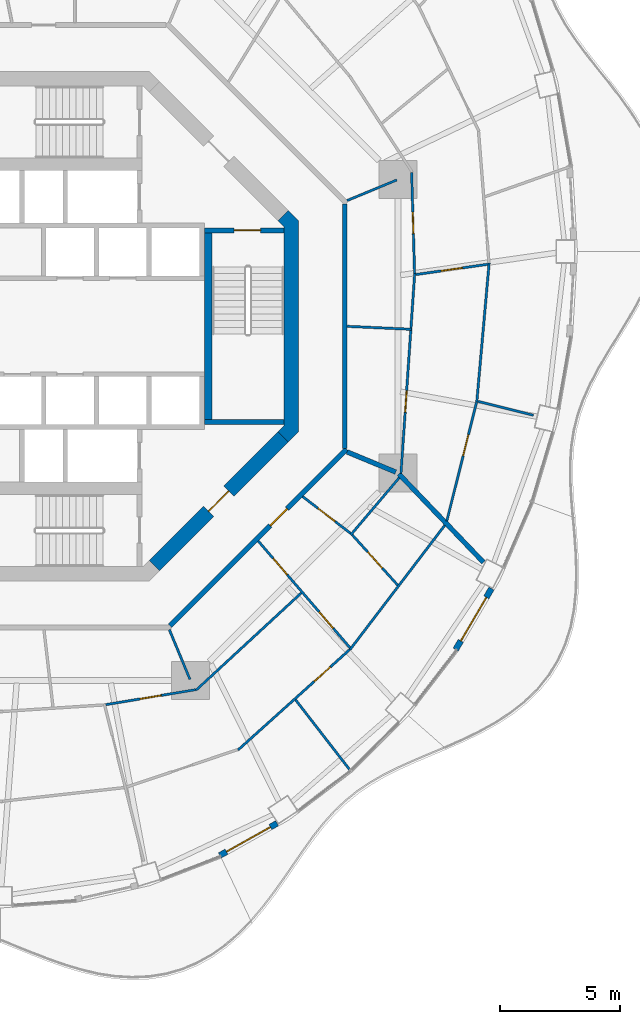
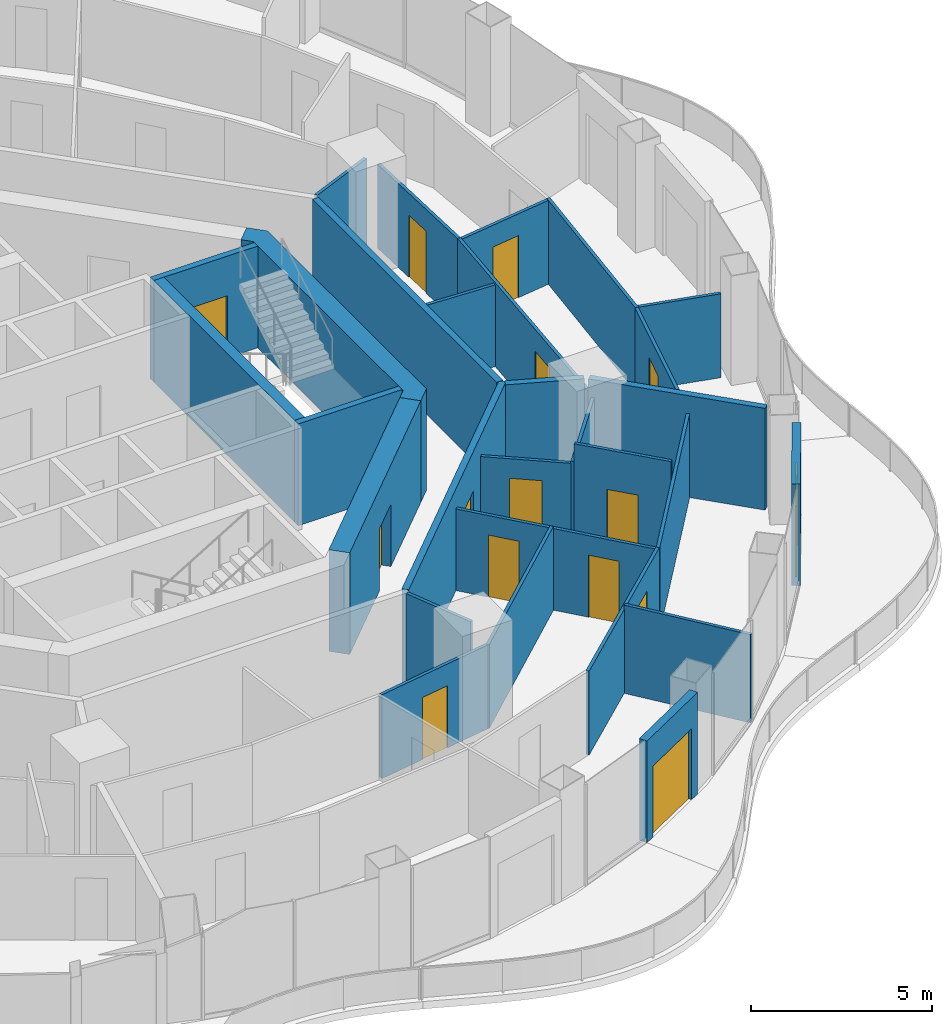
# One storey, part 12 of 18: 29 walls, 15 doors, 15 openings.
"""IFC4 building model written with IfcOpenShell, lengths in metres."""

from ifc_helpers import new_model, si_unit, direction, frame, frame_2d, origin, place, context, subcontext, project, spatial, polyline, rectangle, outline, extrude, material, layer, layer_set, type_object, element, fill, save


model = new_model("IFC4")

# Units and contexts
model_context = context("Model", 3, precision=1e-05, world=origin(), true_north=direction((0.0, 1.0)))
body_context = subcontext(model_context, "Body", "Model", "MODEL_VIEW")
ifc_project = project(units=[si_unit("LENGTHUNIT", "METRE"), si_unit("AREAUNIT", "SQUARE_METRE"), si_unit("VOLUMEUNIT", "CUBIC_METRE"), si_unit("PLANEANGLEUNIT", "RADIAN"), si_unit("MASSUNIT", "GRAM", prefix="KILO")], contexts=[model_context])

# Site, building, storey
site_placement = place(None, origin())
site = spatial("IfcSite", under=ifc_project, at=site_placement, CompositionType="ELEMENT")
building_placement = place(site_placement, origin())
building = spatial("IfcBuilding", under=site, at=building_placement, Name="Nagisa Residences", CompositionType="ELEMENT")
storey_placement = place(building_placement, frame((0.0, 0.0, 238.10009765625)))
storey = spatial("IfcBuildingStorey", under=building, at=storey_placement, Name="L60", CompositionType="ELEMENT", Elevation=238.10009765625)

# Walls
ifc_material_1 = material(Name="Gypsum board on steel studs", Category="steel")
ifc_layer_1 = layer(ifc_material_1, 0.199951171875)
ifc_layer_set_1 = layer_set([ifc_layer_1], Name="Apartment compartment wall EI60 200")
wall_type_1 = type_object("IfcWallType", Name="Apartment compartment wall EI60 200", PredefinedType="PARTITIONING", material=ifc_layer_set_1)
wall_1_placement = place(storey_placement, frame((12.6572265625, -5.24267578125, 0.0), z_axis=(0.0, 0.0, 1.0), x_axis=(0.923853160736, -0.382747093259, 0.0)))
element("IfcWall", 1, at=wall_1_placement, inside=storey, type_object=wall_type_1, Name="wall:L60:u06", PredefinedType="PARTITIONING", context=body_context, shape_type="SweptSolid", body=[
    extrude(rectangle(XDim=2.199951171875, YDim=0.199951171875, at=frame_2d((1.10009765625, 0.0))), origin(), (0.0, 0.0, 1.0), 3.43994140625),
])
wall_2_placement = place(storey_placement, frame((14.816650390625, -6.1591796875, 0.0), z_axis=(0.0, 0.0, 1.0), x_axis=(0.691437669875, -0.722436120828, 0.0)))
element("IfcWall", 2, at=wall_2_placement, inside=storey, type_object=wall_type_1, Name="wall:L60:u07", PredefinedType="PARTITIONING", context=body_context, shape_type="SweptSolid", body=[
    extrude(rectangle(XDim=5.103515625, YDim=0.199951171875, at=frame_2d((2.5517578125, 0.0))), origin(), (0.0, 0.0, 1.0), 3.43994140625),
])
ifc_material_2 = material(Name="Gypsum board on steel studs", Category="steel")
ifc_layer_2 = layer(ifc_material_2, 0.199951171875)
ifc_layer_set_2 = layer_set([ifc_layer_2], Name="Apartment entry wall EI60 200")
wall_type_2 = type_object("IfcWallType", Name="Apartment entry wall EI60 200", PredefinedType="PARTITIONING", material=ifc_layer_set_2)
wall_3_placement = place(storey_placement, frame((12.564697265625, -5.1044921875, 0.0), z_axis=(0.0, 0.0, 1.0), x_axis=(0.0, 1.0, 0.0)))
element("IfcWall", 3, at=wall_3_placement, inside=storey, type_object=wall_type_2, Name="wall:L60:u08", PredefinedType="PARTITIONING", context=body_context, shape_type="SweptSolid", body=[
    extrude(rectangle(XDim=10.208984375, YDim=0.199951171875, at=frame_2d((5.1044921875, 0.0))), origin(), (0.0, 0.0, 1.0), 3.43994140625),
])

# Wall, opening, door
wall_4_placement = place(storey_placement, frame((5.275146484375, -12.494140625, 0.0), z_axis=(0.0, 0.0, 1.0), x_axis=(0.707106781187, 0.707106781187, 0.0)))
wall_4 = element("IfcWall", 4, at=wall_4_placement, inside=storey, type_object=wall_type_2, Name="wall:L60:u15", PredefinedType="PARTITIONING", context=body_context, shape_type="SweptSolid", body=[
    extrude(rectangle(XDim=10.4091796875, YDim=0.199951171875, at=frame_2d((5.20458984375, 0.0))), origin(), (0.0, 0.0, 1.0), 3.43994140625),
])
opening_1_placement = place(wall_4_placement, frame((5.905517578125, 0.0, 0.0)))
opening_1 = element("IfcOpeningElement", 5, at=opening_1_placement, cuts=wall_4, Name="Opening L60-U09", PredefinedType="OPENING", context=body_context, shape_type="SweptSolid", body=[
    extrude(rectangle(XDim=1.0, YDim=2.10009765625, at=frame_2d((0.5, 1.050048828125))), frame((0.0, 0.10986328125, 0.0), z_axis=(0.0, -1.0, 0.0), x_axis=(1.0, 0.0, 0.0)), (0.0, 0.0, 1.0), 0.219970703125),
])
ifc_material_3 = material(Name="Timber fire door set", Category="wood")
door_type_1 = type_object("IfcDoorType", Name="Apartment entry door FD30S 1000x2100", OperationType="NOTDEFINED", PredefinedType="DOOR", material=ifc_material_3)
door_1_placement = place(opening_1_placement, frame((1.0, 0.0, 0.0), x_axis=(-1.0, 0.0, 0.0)))
door_1 = element("IfcDoor", 6, at=door_1_placement, inside=storey, type_object=door_type_1, Name="Entry door, Apartment 60B", OperationType="SINGLE_SWING_RIGHT", OverallHeight=2.10009765625, OverallWidth=1.0, PredefinedType="DOOR", context=body_context, shape_type="SweptSolid", body=[
    extrude(rectangle(XDim=1.0, YDim=2.10009765625, at=frame_2d((0.5, 1.050048828125))), frame((0.0, 0.02490234375, 0.0), z_axis=(0.0, -1.0, 0.0), x_axis=(1.0, 0.0, 0.0)), (0.0, 0.0, 1.0), 0.050048828125),
])
fill(opening_1, door_1)

ifc_material_4 = material(Name="Gypsum board on steel studs", Category="steel")
ifc_layer_3 = layer(ifc_material_4, 0.10009765625)
ifc_layer_set_3 = layer_set([ifc_layer_3], Name="Apartment partition 100")
wall_type_3 = type_object("IfcWallType", Name="Apartment partition 100", PredefinedType="PARTITIONING", material=ifc_layer_set_3)
wall_5_placement = place(storey_placement, frame((15.52587890625, 2.15673828125, 0.0), z_axis=(0.0, 0.0, 1.0), x_axis=(0.989997669831, 0.141083711779, 0.0)))
wall_5 = element("IfcWall", 7, at=wall_5_placement, inside=storey, type_object=wall_type_3, Name="wall:L60:u16", PredefinedType="PARTITIONING", context=body_context, shape_type="SweptSolid", body=[
    extrude(rectangle(XDim=3.036865234375, YDim=0.10009765625, at=frame_2d((1.5185546875, 0.0))), origin(), (0.0, 0.0, 1.0), 2.8369140625),
])
opening_2_placement = place(wall_5_placement, frame((1.068603515625, 0.0, 0.0)))
opening_2 = element("IfcOpeningElement", 8, at=opening_2_placement, cuts=wall_5, Name="Opening L60-U37", PredefinedType="OPENING", context=body_context, shape_type="SweptSolid", body=[
    extrude(rectangle(XDim=0.89990234375, YDim=2.10009765625, at=frame_2d((0.449951171875, 1.050048828125))), frame((0.0, 0.06005859375, 0.0), z_axis=(0.0, -1.0, 0.0), x_axis=(1.0, 0.0, 0.0)), (0.0, 0.0, 1.0), 0.1201171875),
])
ifc_material_5 = material(Name="Timber door set", Category="wood")
door_type_2 = type_object("IfcDoorType", Name="Apartment door 900x2100", OperationType="NOTDEFINED", PredefinedType="DOOR", material=ifc_material_5)
door_2_placement = place(opening_2_placement, frame((0.89990234375, 0.0, 0.0), x_axis=(-1.0, 0.0, 0.0)))
door_2 = element("IfcDoor", 9, at=door_2_placement, inside=storey, type_object=door_type_2, Name="Door to kitchen, Apartment 60C", OperationType="SINGLE_SWING_RIGHT", OverallHeight=2.10009765625, OverallWidth=0.89990234375, PredefinedType="DOOR", context=body_context, shape_type="SweptSolid", body=[
    extrude(rectangle(XDim=0.89990234375, YDim=2.10009765625, at=frame_2d((0.449951171875, 1.050048828125))), frame((0.0, 0.02490234375, 0.0), z_axis=(0.0, -1.0, 0.0), x_axis=(1.0, 0.0, 0.0)), (0.0, 0.0, 1.0), 0.050048828125),
])
fill(opening_2, door_2)

wall_6_placement = place(storey_placement, frame((15.474853515625, 2.19970703125, 0.0), z_axis=(0.0, 0.0, 1.0), x_axis=(-0.029254637498, 0.999571991497, 0.0)))
wall_6 = element("IfcWall", 10, at=wall_6_placement, inside=storey, type_object=wall_type_3, Name="wall:L60:u17", PredefinedType="PARTITIONING", context=body_context, shape_type="SweptSolid", body=[
    extrude(rectangle(XDim=4.22265625, YDim=0.10009765625, at=frame_2d((2.111328125, 0.0))), origin(), (0.0, 0.0, 1.0), 2.8369140625),
])
opening_3_placement = place(wall_6_placement, frame((1.661376953125, 0.0, 0.0)))
opening_3 = element("IfcOpeningElement", 11, at=opening_3_placement, cuts=wall_6, Name="Opening L60-U36", PredefinedType="OPENING", context=body_context, shape_type="SweptSolid", body=[
    extrude(rectangle(XDim=0.89990234375, YDim=2.10009765625, at=frame_2d((0.449951171875, 1.050048828125))), frame((0.0, 0.06005859375, 0.0), z_axis=(0.0, -1.0, 0.0), x_axis=(1.0, 0.0, 0.0)), (0.0, 0.0, 1.0), 0.1201171875),
])
door_3_placement = place(opening_3_placement, origin())
door_3 = element("IfcDoor", 12, at=door_3_placement, inside=storey, type_object=door_type_2, Name="Door to store, Apartment 60C", OperationType="SINGLE_SWING_RIGHT", OverallHeight=2.10009765625, OverallWidth=0.89990234375, PredefinedType="DOOR", context=body_context, shape_type="SweptSolid", body=[
    extrude(rectangle(XDim=0.89990234375, YDim=2.10009765625, at=frame_2d((0.449951171875, 1.050048828125))), frame((0.0, 0.02490234375, 0.0), z_axis=(0.0, -1.0, 0.0), x_axis=(1.0, 0.0, 0.0)), (0.0, 0.0, 1.0), 0.050048828125),
])
fill(opening_3, door_3)

wall_7_placement = place(storey_placement, frame((15.479736328125, 2.199462890625, 0.0), z_axis=(0.0, 0.0, 1.0), x_axis=(-0.068558685949, -0.997647085186, 0.0)))
wall_7 = element("IfcWall", 13, at=wall_7_placement, inside=storey, type_object=wall_type_3, Name="wall:L60:u18", PredefinedType="PARTITIONING", context=body_context, shape_type="SweptSolid", body=[
    extrude(rectangle(XDim=8.364990234375, YDim=0.10009765625, at=frame_2d((4.1826171875, 0.0))), origin(), (0.0, 0.0, 1.0), 2.8369140625),
])
opening_4_placement = place(wall_7_placement, frame((4.89794921875, 0.0, 0.0)))
opening_4 = element("IfcOpeningElement", 14, at=opening_4_placement, cuts=wall_7, Name="Opening L60-U39", PredefinedType="OPENING", context=body_context, shape_type="SweptSolid", body=[
    extrude(rectangle(XDim=0.89990234375, YDim=2.10009765625, at=frame_2d((0.449951171875, 1.050048828125))), frame((0.0, 0.06005859375, 0.0), z_axis=(0.0, -1.0, 0.0), x_axis=(1.0, 0.0, 0.0)), (0.0, 0.0, 1.0), 0.1201171875),
])
door_4_placement = place(opening_4_placement, frame((0.89990234375, 0.0, 0.0), x_axis=(-1.0, 0.0, 0.0)))
door_4 = element("IfcDoor", 15, at=door_4_placement, inside=storey, type_object=door_type_2, Name="Door to laundry, Apartment 60C", OperationType="SINGLE_SWING_RIGHT", OverallHeight=2.10009765625, OverallWidth=0.89990234375, PredefinedType="DOOR", context=body_context, shape_type="SweptSolid", body=[
    extrude(rectangle(XDim=0.89990234375, YDim=2.10009765625, at=frame_2d((0.449951171875, 1.050048828125))), frame((0.0, 0.02490234375, 0.0), z_axis=(0.0, -1.0, 0.0), x_axis=(1.0, 0.0, 0.0)), (0.0, 0.0, 1.0), 0.050048828125),
])
fill(opening_4, door_4)

# Walls
wall_8_placement = place(storey_placement, frame((18.58642578125, 2.64208984375, 0.0), z_axis=(0.0, 0.0, 1.0), x_axis=(-0.088638473361, -0.996063863937, 0.0)))
element("IfcWall", 16, at=wall_8_placement, inside=storey, type_object=wall_type_3, Name="wall:L60:u20", PredefinedType="PARTITIONING", context=body_context, shape_type="SweptSolid", body=[
    extrude(rectangle(XDim=5.83642578125, YDim=0.10009765625, at=frame_2d((2.918212890625, 0.0))), origin(), (0.0, 0.0, 1.0), 2.8369140625),
])
wall_9_placement = place(storey_placement, frame((12.6572265625, 5.24267578125, 0.0), z_axis=(0.0, 0.0, 1.0), x_axis=(0.923864733477, 0.382719158442, 0.0)))
element("IfcWall", 17, at=wall_9_placement, inside=storey, type_object=wall_type_3, Name="wall:L60:u22", PredefinedType="PARTITIONING", context=body_context, shape_type="SweptSolid", body=[
    extrude(rectangle(XDim=2.25, YDim=0.10009765625, at=frame_2d((1.125, 0.0))), origin(), (0.0, 0.0, 1.0), 3.43994140625),
])

# Wall, opening, door
wall_10_placement = place(storey_placement, frame((2.592529296875, -15.788818359375, 0.0), z_axis=(0.0, 0.0, 1.0), x_axis=(0.986381756816, 0.164471972749, 0.0)))
wall_10 = element("IfcWall", 18, at=wall_10_placement, inside=storey, type_object=wall_type_3, Name="wall:L60:u79", PredefinedType="PARTITIONING", context=body_context, shape_type="SweptSolid", body=[
    extrude(rectangle(XDim=3.797119140625, YDim=0.10009765625, at=frame_2d((1.8984375, 0.0))), origin(), (0.0, 0.0, 1.0), 2.8369140625),
])
opening_5_placement = place(wall_10_placement, frame((1.448486328125, 0.0, 0.0)))
opening_5 = element("IfcOpeningElement", 19, at=opening_5_placement, cuts=wall_10, Name="Opening L60-U16", PredefinedType="OPENING", context=body_context, shape_type="SweptSolid", body=[
    extrude(rectangle(XDim=0.89990234375, YDim=2.10009765625, at=frame_2d((0.449951171875, 1.050048828125))), frame((0.0, 0.06005859375, 0.0), z_axis=(0.0, -1.0, 0.0), x_axis=(1.0, 0.0, 0.0)), (0.0, 0.0, 1.0), 0.1201171875),
])
door_5_placement = place(opening_5_placement, origin())
door_5 = element("IfcDoor", 20, at=door_5_placement, inside=storey, type_object=door_type_2, Name="Door to laundry, Apartment 60B", OperationType="SINGLE_SWING_RIGHT", OverallHeight=2.10009765625, OverallWidth=0.89990234375, PredefinedType="DOOR", context=body_context, shape_type="SweptSolid", body=[
    extrude(rectangle(XDim=0.89990234375, YDim=2.10009765625, at=frame_2d((0.449951171875, 1.050048828125))), frame((0.0, 0.02490234375, 0.0), z_axis=(0.0, -1.0, 0.0), x_axis=(1.0, 0.0, 0.0)), (0.0, 0.0, 1.0), 0.050048828125),
])
fill(opening_5, door_5)

# Walls
wall_11_placement = place(storey_placement, frame((5.24267578125, -12.6572265625, 0.0), z_axis=(0.0, 0.0, 1.0), x_axis=(0.382719158442, -0.923864733477, 0.0)))
element("IfcWall", 21, at=wall_11_placement, inside=storey, type_object=wall_type_3, Name="wall:L60:u81", PredefinedType="PARTITIONING", context=body_context, shape_type="SweptSolid", body=[
    extrude(rectangle(XDim=2.25, YDim=0.10009765625, at=frame_2d((1.125, 0.0))), origin(), (0.0, 0.0, 1.0), 3.43994140625),
])
wall_12_placement = place(storey_placement, frame((6.3505859375, -15.18994140625, 0.0), z_axis=(0.0, 0.0, 1.0), x_axis=(0.73462674599, 0.678471476243, 0.0)))
element("IfcWall", 22, at=wall_12_placement, inside=storey, type_object=wall_type_3, Name="wall:L60:u82", PredefinedType="PARTITIONING", context=body_context, shape_type="SweptSolid", body=[
    extrude(rectangle(XDim=5.986572265625, YDim=0.10009765625, at=frame_2d((2.9931640625, 0.0))), origin(), (0.0, 0.0, 1.0), 2.8369140625),
])

# Wall, opening, door
wall_13_placement = place(storey_placement, frame((8.109130859375, -17.679443359375, 0.0), z_axis=(0.0, 0.0, 1.0), x_axis=(0.743675165651, 0.668541134108, 0.0)))
wall_13 = element("IfcWall", 23, at=wall_13_placement, inside=storey, type_object=wall_type_3, Name="wall:L60:u83", PredefinedType="PARTITIONING", context=body_context, shape_type="SweptSolid", body=[
    extrude(rectangle(XDim=6.274658203125, YDim=0.10009765625, at=frame_2d((3.13720703125, 0.0))), origin(), (0.0, 0.0, 1.0), 2.8369140625),
])
opening_6_placement = place(wall_13_placement, frame((4.281005859375, 0.0, 0.0)))
opening_6 = element("IfcOpeningElement", 24, at=opening_6_placement, cuts=wall_13, Name="Opening L60-U15", PredefinedType="OPENING", context=body_context, shape_type="SweptSolid", body=[
    extrude(rectangle(XDim=0.89990234375, YDim=2.10009765625, at=frame_2d((0.449951171875, 1.050048828125))), frame((0.0, 0.06005859375, 0.0), z_axis=(0.0, -1.0, 0.0), x_axis=(1.0, 0.0, 0.0)), (0.0, 0.0, 1.0), 0.1201171875),
])
door_6_placement = place(opening_6_placement, frame((0.89990234375, 0.0, 0.0), x_axis=(-1.0, 0.0, 0.0)))
door_6 = element("IfcDoor", 25, at=door_6_placement, inside=storey, type_object=door_type_2, Name="Door to bedroom, Apartment 60B", OperationType="SINGLE_SWING_RIGHT", OverallHeight=2.10009765625, OverallWidth=0.89990234375, PredefinedType="DOOR", context=body_context, shape_type="SweptSolid", body=[
    extrude(rectangle(XDim=0.89990234375, YDim=2.10009765625, at=frame_2d((0.449951171875, 1.050048828125))), frame((0.0, 0.02490234375, 0.0), z_axis=(0.0, -1.0, 0.0), x_axis=(1.0, 0.0, 0.0)), (0.0, 0.0, 1.0), 0.050048828125),
])
fill(opening_6, door_6)

# Wall
wall_14_placement = place(storey_placement, frame((10.510009765625, -15.588134765625, 0.0), z_axis=(0.0, 0.0, 1.0), x_axis=(0.612443725286, -0.79051418922, 0.0)))
element("IfcWall", 26, at=wall_14_placement, inside=storey, type_object=wall_type_3, Name="wall:L60:u84", PredefinedType="PARTITIONING", context=body_context, shape_type="SweptSolid", body=[
    extrude(rectangle(XDim=3.785400390625, YDim=0.10009765625, at=frame_2d((1.892578125, 0.0))), origin(), (0.0, 0.0, 1.0), 2.98291015625),
])

# Wall, openings, doors
wall_15_placement = place(storey_placement, frame((8.949951171875, -8.96044921875, 0.0), z_axis=(0.0, 0.0, 1.0), x_axis=(0.652098047064, -0.758134643065, 0.0)))
wall_15 = element("IfcWall", 27, at=wall_15_placement, inside=storey, type_object=wall_type_3, Name="wall:L60:u85", PredefinedType="PARTITIONING", context=body_context, shape_type="SweptSolid", body=[
    extrude(rectangle(XDim=5.87353515625, YDim=0.10009765625, at=frame_2d((2.936767578125, 0.0))), origin(), (0.0, 0.0, 1.0), 2.761962890625),
])
opening_7_placement = place(wall_15_placement, frame((0.957275390625, 0.0, 0.0)))
opening_7 = element("IfcOpeningElement", 28, at=opening_7_placement, cuts=wall_15, Name="Opening L60-U10", PredefinedType="OPENING", context=body_context, shape_type="SweptSolid", body=[
    extrude(rectangle(XDim=0.89990234375, YDim=2.10009765625, at=frame_2d((0.449951171875, 1.050048828125))), frame((0.0, 0.06005859375, 0.0), z_axis=(0.0, -1.0, 0.0), x_axis=(1.0, 0.0, 0.0)), (0.0, 0.0, 1.0), 0.1201171875),
])
opening_8_placement = place(wall_15_placement, frame((3.89404296875, 0.0, 0.0)))
opening_8 = element("IfcOpeningElement", 29, at=opening_8_placement, cuts=wall_15, Name="Opening L60-U12", PredefinedType="OPENING", context=body_context, shape_type="SweptSolid", body=[
    extrude(rectangle(XDim=0.89990234375, YDim=2.10009765625, at=frame_2d((0.449951171875, 1.050048828125))), frame((0.0, 0.06005859375, 0.0), z_axis=(0.0, -1.0, 0.0), x_axis=(1.0, 0.0, 0.0)), (0.0, 0.0, 1.0), 0.1201171875),
])
door_7_placement = place(opening_7_placement, frame((0.89990234375, 0.0, 0.0), x_axis=(-1.0, 0.0, 0.0)))
door_7 = element("IfcDoor", 30, at=door_7_placement, inside=storey, type_object=door_type_2, Name="Door to laundry, Apartment 60B", OperationType="SINGLE_SWING_LEFT", OverallHeight=2.10009765625, OverallWidth=0.89990234375, PredefinedType="DOOR", context=body_context, shape_type="SweptSolid", body=[
    extrude(rectangle(XDim=0.89990234375, YDim=2.10009765625, at=frame_2d((0.449951171875, 1.050048828125))), frame((0.0, 0.02490234375, 0.0), z_axis=(0.0, -1.0, 0.0), x_axis=(1.0, 0.0, 0.0)), (0.0, 0.0, 1.0), 0.050048828125),
])
fill(opening_7, door_7)
door_8_placement = place(opening_8_placement, frame((0.89990234375, 0.0, 0.0), x_axis=(-1.0, 0.0, 0.0)))
door_8 = element("IfcDoor", 31, at=door_8_placement, inside=storey, type_object=door_type_2, Name="Door to dining room, Apartment 60B", OperationType="SINGLE_SWING_LEFT", OverallHeight=2.10009765625, OverallWidth=0.89990234375, PredefinedType="DOOR", context=body_context, shape_type="SweptSolid", body=[
    extrude(rectangle(XDim=0.89990234375, YDim=2.10009765625, at=frame_2d((0.449951171875, 1.050048828125))), frame((0.0, 0.02490234375, 0.0), z_axis=(0.0, -1.0, 0.0), x_axis=(1.0, 0.0, 0.0)), (0.0, 0.0, 1.0), 0.050048828125),
])
fill(opening_8, door_8)

# Wall
wall_16_placement = place(storey_placement, frame((12.7822265625, -13.490966796875, 0.0), z_axis=(0.0, 0.0, 1.0), x_axis=(0.606141365852, 0.79535692906, 0.0)))
element("IfcWall", 32, at=wall_16_placement, inside=storey, type_object=wall_type_3, Name="wall:L60:u86", PredefinedType="PARTITIONING", context=body_context, shape_type="SweptSolid", body=[
    extrude(rectangle(XDim=6.519775390625, YDim=0.10009765625, at=frame_2d((3.259765625, 0.0))), origin(), (0.0, 0.0, 1.0), 2.8369140625),
])

# Wall, opening, door
wall_17_placement = place(storey_placement, frame((10.803955078125, -7.10546875, 0.0), z_axis=(0.0, 0.0, 1.0), x_axis=(0.793311502848, -0.608815948747, 0.0)))
wall_17 = element("IfcWall", 33, at=wall_17_placement, inside=storey, type_object=wall_type_3, Name="wall:L60:u87", PredefinedType="PARTITIONING", context=body_context, shape_type="SweptSolid", body=[
    extrude(rectangle(XDim=2.51953125, YDim=0.10009765625, at=frame_2d((1.259765625, 0.0))), origin(), (0.0, 0.0, 1.0), 2.761962890625),
])
opening_9_placement = place(wall_17_placement, frame((0.809814453125, 0.0, 0.0)))
opening_9 = element("IfcOpeningElement", 34, at=opening_9_placement, cuts=wall_17, Name="Opening L60-U11", PredefinedType="OPENING", context=body_context, shape_type="SweptSolid", body=[
    extrude(rectangle(XDim=0.89990234375, YDim=2.10009765625, at=frame_2d((0.449951171875, 1.050048828125))), frame((0.0, 0.06005859375, 0.0), z_axis=(0.0, -1.0, 0.0), x_axis=(1.0, 0.0, 0.0)), (0.0, 0.0, 1.0), 0.1201171875),
])
door_9_placement = place(opening_9_placement, origin())
door_9 = element("IfcDoor", 35, at=door_9_placement, inside=storey, type_object=door_type_2, Name="Door to family bathroom, Apartment 60B", OperationType="SINGLE_SWING_LEFT", OverallHeight=2.10009765625, OverallWidth=0.89990234375, PredefinedType="DOOR", context=body_context, shape_type="SweptSolid", body=[
    extrude(rectangle(XDim=0.89990234375, YDim=2.10009765625, at=frame_2d((0.449951171875, 1.050048828125))), frame((0.0, 0.02490234375, 0.0), z_axis=(0.0, -1.0, 0.0), x_axis=(1.0, 0.0, 0.0)), (0.0, 0.0, 1.0), 0.050048828125),
])
fill(opening_9, door_9)

wall_18_placement = place(storey_placement, frame((12.8759765625, -8.70703125, 0.0), z_axis=(0.0, 0.0, 1.0), x_axis=(0.670768418052, -0.741666858733, 0.0)))
wall_18 = element("IfcWall", 36, at=wall_18_placement, inside=storey, type_object=wall_type_3, Name="wall:L60:u88", PredefinedType="PARTITIONING", context=body_context, shape_type="SweptSolid", body=[
    extrude(rectangle(XDim=2.82373046875, YDim=0.10009765625, at=frame_2d((1.411865234375, 0.0))), origin(), (0.0, 0.0, 1.0), 3.43994140625),
])
opening_10_placement = place(wall_18_placement, frame((0.9619140625, 0.0, 0.0)))
opening_10 = element("IfcOpeningElement", 37, at=opening_10_placement, cuts=wall_18, Name="Opening L60-U13", PredefinedType="OPENING", context=body_context, shape_type="SweptSolid", body=[
    extrude(rectangle(XDim=0.89990234375, YDim=2.10009765625, at=frame_2d((0.449951171875, 1.050048828125))), frame((0.0, 0.06005859375, 0.0), z_axis=(0.0, -1.0, 0.0), x_axis=(1.0, 0.0, 0.0)), (0.0, 0.0, 1.0), 0.1201171875),
])
door_10_placement = place(opening_10_placement, origin())
door_10 = element("IfcDoor", 38, at=door_10_placement, inside=storey, type_object=door_type_2, Name="Door to family bathroom, Apartment 60B", OperationType="SINGLE_SWING_LEFT", OverallHeight=2.10009765625, OverallWidth=0.89990234375, PredefinedType="DOOR", context=body_context, shape_type="SweptSolid", body=[
    extrude(rectangle(XDim=0.89990234375, YDim=2.10009765625, at=frame_2d((0.449951171875, 1.050048828125))), frame((0.0, 0.02490234375, 0.0), z_axis=(0.0, -1.0, 0.0), x_axis=(1.0, 0.0, 0.0)), (0.0, 0.0, 1.0), 0.050048828125),
])
fill(opening_10, door_10)

# Wall
wall_19_placement = place(storey_placement, frame((12.81005859375, -8.7080078125, 0.0), z_axis=(0.0, 0.0, 1.0), x_axis=(0.646973324627, 0.762512634138, 0.0)))
element("IfcWall", 39, at=wall_19_placement, inside=storey, type_object=wall_type_3, Name="wall:L60:u89", PredefinedType="PARTITIONING", context=body_context, shape_type="SweptSolid", body=[
    extrude(rectangle(XDim=3.12939453125, YDim=0.10009765625, at=frame_2d((1.564697265625, 0.0))), origin(), (0.0, 0.0, 1.0), 2.8369140625),
])

# Wall, opening, door
wall_20_placement = place(storey_placement, frame((16.81884765625, -8.128662109375, 0.0), z_axis=(0.0, 0.0, 1.0), x_axis=(0.243041266705, 0.970015949703, 0.0)))
wall_20 = element("IfcWall", 40, at=wall_20_placement, inside=storey, type_object=wall_type_3, Name="wall:L60:u90", PredefinedType="PARTITIONING", context=body_context, shape_type="SweptSolid", body=[
    extrude(rectangle(XDim=5.112060546875, YDim=0.10009765625, at=frame_2d((2.55615234375, 0.0))), origin(), (0.0, 0.0, 1.0), 2.8369140625),
])
opening_11_placement = place(wall_20_placement, frame((2.808349609375, 0.0, 0.0)))
opening_11 = element("IfcOpeningElement", 41, at=opening_11_placement, cuts=wall_20, Name="Opening L60-U38", PredefinedType="OPENING", context=body_context, shape_type="SweptSolid", body=[
    extrude(rectangle(XDim=0.89990234375, YDim=2.10009765625, at=frame_2d((0.449951171875, 1.050048828125))), frame((0.0, 0.06005859375, 0.0), z_axis=(0.0, -1.0, 0.0), x_axis=(1.0, 0.0, 0.0)), (0.0, 0.0, 1.0), 0.1201171875),
])
door_11_placement = place(opening_11_placement, frame((0.89990234375, 0.0, 0.0), x_axis=(-1.0, 0.0, 0.0)))
door_11 = element("IfcDoor", 42, at=door_11_placement, inside=storey, type_object=door_type_2, Name="Door to bedroom, Apartment 60C", OperationType="SINGLE_SWING_LEFT", OverallHeight=2.10009765625, OverallWidth=0.89990234375, PredefinedType="DOOR", context=body_context, shape_type="SweptSolid", body=[
    extrude(rectangle(XDim=0.89990234375, YDim=2.10009765625, at=frame_2d((0.449951171875, 1.050048828125))), frame((0.0, 0.02490234375, 0.0), z_axis=(0.0, -1.0, 0.0), x_axis=(1.0, 0.0, 0.0)), (0.0, 0.0, 1.0), 0.050048828125),
])
fill(opening_11, door_11)

# Walls
wall_21_placement = place(storey_placement, frame((18.1220703125, -3.1337890625, 0.0), z_axis=(0.0, 0.0, 1.0), x_axis=(0.969755347697, -0.244079015102, 0.0)))
element("IfcWall", 43, at=wall_21_placement, inside=storey, type_object=wall_type_3, Name="wall:L60:u91", PredefinedType="PARTITIONING", context=body_context, shape_type="SweptSolid", body=[
    extrude(rectangle(XDim=2.381591796875, YDim=0.10009765625, at=frame_2d((1.19091796875, 0.0))), origin(), (0.0, 0.0, 1.0), 2.8369140625),
])
wall_22_placement = place(storey_placement, frame((12.66455078125, -0.004638671875, 0.0), z_axis=(0.0, 0.0, 1.0), x_axis=(0.998950319191, -0.045806765749, 0.0)))
element("IfcWall", 44, at=wall_22_placement, inside=storey, type_object=wall_type_3, Name="wall:L60:u92", PredefinedType="PARTITIONING", context=body_context, shape_type="SweptSolid", body=[
    extrude(rectangle(XDim=2.691650390625, YDim=0.10009765625, at=frame_2d((1.345703125, 0.0))), origin(), (0.0, 0.0, 1.0), 2.761962890625),
])

# Wall, opening, door
ifc_material_6 = material(Name="Precast concrete C40/50", Category="concrete")
ifc_layer_4 = layer(ifc_material_6, 0.25)
ifc_layer_set_4 = layer_set([ifc_layer_4], Name="BALCONY DOOR WALL 250")
wall_type_4 = type_object("IfcWallType", Name="BALCONY DOOR WALL 250", PredefinedType="SOLIDWALL", material=ifc_layer_set_4)
wall_23_placement = place(storey_placement, frame((9.73779296875, -20.738525390625, 0.0), z_axis=(0.0, 0.0, 1.0), x_axis=(-0.872079929129, -0.489363461254, 0.0)))
wall_23 = element("IfcWall", 45, at=wall_23_placement, inside=storey, type_object=wall_type_4, Name="wall:L60:bay39", PredefinedType="SOLIDWALL", context=body_context, shape_type="SweptSolid", body=[
    extrude(rectangle(XDim=2.738037109375, YDim=0.25, at=frame_2d((1.369140625, 0.0))), origin(), (0.0, 0.0, 1.0), 3.43994140625),
])
opening_12_placement = place(wall_23_placement, frame((0.319091796875, 0.0, 0.0)))
opening_12 = element("IfcOpeningElement", 46, at=opening_12_placement, cuts=wall_23, Name="Opening BD-L60-14", PredefinedType="OPENING", context=body_context, shape_type="SweptSolid", body=[
    extrude(rectangle(XDim=2.10009765625, YDim=2.39990234375, at=frame_2d((1.050048828125, 1.199951171875))), frame((0.0, 0.135009765625, 0.0), z_axis=(0.0, -1.0, 0.0), x_axis=(1.0, 0.0, 0.0)), (0.0, 0.0, 1.0), 0.27001953125),
])
ifc_material_7 = material(Name="Aluminium and clear glass", Category="aluminium")
door_type_3 = type_object("IfcDoorType", Name="BALCONY SLIDING DOOR 2100x2400", OperationType="SLIDING_TO_LEFT", PredefinedType="DOOR", material=ifc_material_7)
door_12_placement = place(opening_12_placement, origin())
door_12 = element("IfcDoor", 47, at=door_12_placement, inside=storey, type_object=door_type_3, Name="door:L60:bay39", OperationType="SLIDING_TO_LEFT", OverallHeight=2.39990234375, OverallWidth=2.10009765625, PredefinedType="DOOR", context=body_context, shape_type="SweptSolid", body=[
    extrude(rectangle(XDim=2.10009765625, YDim=2.39990234375, at=frame_2d((1.050048828125, 1.199951171875))), frame((0.0, 0.02490234375, 0.0), z_axis=(0.0, -1.0, 0.0), x_axis=(1.0, 0.0, 0.0)), (0.0, 0.0, 1.0), 0.050048828125),
])
fill(opening_12, door_12)

wall_24_placement = place(storey_placement, frame((18.684326171875, -10.945068359375, 0.0), z_axis=(0.0, 0.0, 1.0), x_axis=(-0.5063555387, -0.862324804484, 0.0)))
wall_24 = element("IfcWall", 48, at=wall_24_placement, inside=storey, type_object=wall_type_4, Name="wall:L60:bay43", PredefinedType="SOLIDWALL", context=body_context, shape_type="SweptSolid", body=[
    extrude(rectangle(XDim=2.95458984375, YDim=0.25, at=frame_2d((1.477294921875, 0.0))), origin(), (0.0, 0.0, 1.0), 3.43994140625),
])
opening_13_placement = place(wall_24_placement, frame((0.42724609375, 0.0, 0.0)))
opening_13 = element("IfcOpeningElement", 49, at=opening_13_placement, cuts=wall_24, Name="Opening BD-L60-15", PredefinedType="OPENING", context=body_context, shape_type="SweptSolid", body=[
    extrude(rectangle(XDim=2.10009765625, YDim=2.39990234375, at=frame_2d((1.050048828125, 1.199951171875))), frame((0.0, 0.135009765625, 0.0), z_axis=(0.0, -1.0, 0.0), x_axis=(1.0, 0.0, 0.0)), (0.0, 0.0, 1.0), 0.27001953125),
])
door_13_placement = place(opening_13_placement, origin())
door_13 = element("IfcDoor", 50, at=door_13_placement, inside=storey, type_object=door_type_3, Name="door:L60:bay43", OperationType="SLIDING_TO_LEFT", OverallHeight=2.39990234375, OverallWidth=2.10009765625, PredefinedType="DOOR", context=body_context, shape_type="SweptSolid", body=[
    extrude(rectangle(XDim=2.10009765625, YDim=2.39990234375, at=frame_2d((1.050048828125, 1.199951171875))), frame((0.0, 0.02490234375, 0.0), z_axis=(0.0, -1.0, 0.0), x_axis=(1.0, 0.0, 0.0)), (0.0, 0.0, 1.0), 0.050048828125),
])
fill(opening_13, door_13)

ifc_material_8 = material(Name="Concrete C60", Category="concrete")
ifc_layer_5 = layer(ifc_material_8, 0.60009765625)
ifc_layer_set_5 = layer_set([ifc_layer_5], Name="Core shear wall 600")
wall_type_5 = type_object("IfcWallType", Name="Core shear wall 600", PredefinedType="SHEAR", material=ifc_layer_set_5)
wall_25_placement = place(storey_placement, frame((4.613037109375, -9.98828125, 0.0), z_axis=(0.0, 0.0, 1.0), x_axis=(0.707106781187, 0.707106781187, 0.0)))
wall_25 = element("IfcWall", 51, at=wall_25_placement, inside=storey, type_object=wall_type_5, Name="wall:L60:core:flat7", PredefinedType="SHEAR", context=body_context, shape_type="SweptSolid", body=[
    extrude(rectangle(XDim=7.601806640625, YDim=0.60009765625, at=frame_2d((3.80078125, 0.0))), origin(), (0.0, 0.0, 1.0), 3.43994140625),
])
opening_14_placement = place(wall_25_placement, frame((3.200927734375, 0.0, 0.0)))
opening_14 = element("IfcOpeningElement", 52, at=opening_14_placement, cuts=wall_25, Name="Opening L60-C18", PredefinedType="OPENING", context=body_context, shape_type="SweptSolid", body=[
    extrude(rectangle(XDim=1.199951171875, YDim=2.10009765625, at=frame_2d((0.60009765625, 1.050048828125))), frame((0.0, 0.31005859375, 0.0), z_axis=(0.0, -1.0, 0.0), x_axis=(1.0, 0.0, 0.0)), (0.0, 0.0, 1.0), 0.6201171875),
])
ifc_material_9 = material(Name="Steel fire door", Category="steel")
door_type_4 = type_object("IfcDoorType", Name="Fire door EI60 1200x2100 single swing", OperationType="NOTDEFINED", PredefinedType="DOOR", material=ifc_material_9)
door_14_placement = place(opening_14_placement, origin())
door_14 = element("IfcDoor", 53, at=door_14_placement, inside=storey, type_object=door_type_4, Name="Firefighting lobby 2 door L60", OperationType="SINGLE_SWING_LEFT", OverallHeight=2.10009765625, OverallWidth=1.199951171875, PredefinedType="DOOR", context=body_context, shape_type="SweptSolid", body=[
    extrude(rectangle(XDim=1.199951171875, YDim=2.10009765625, at=frame_2d((0.60009765625, 1.050048828125))), frame((0.0, 0.02490234375, 0.0), z_axis=(0.0, -1.0, 0.0), x_axis=(1.0, 0.0, 0.0)), (0.0, 0.0, 1.0), 0.050048828125),
])
fill(opening_14, door_14)

# Wall
wall_26_placement = place(storey_placement, origin())
element("IfcWall", 54, at=wall_26_placement, inside=storey, type_object=wall_type_5, Name="wall:L60:core:flat0", PredefinedType="SHEAR", context=body_context, shape_type="SweptSolid", body=[
    extrude(outline(polyline([(9.776123046875, -4.40087890625), (10.024658203125, -4.15234375), (10.024658203125, -3.801025390625), (10.024658203125, 4.15234375), (9.776123046875, 4.40087890625), (10.200439453125, 4.8251953125), (10.62451171875, 4.40087890625), (10.62451171875, -4.40087890625), (10.200439453125, -4.8251953125), (9.776123046875, -4.40087890625)])), origin(), (0.0, 0.0, 1.0), 3.43994140625),
])

# Wall, opening, door
ifc_material_10 = material(Name="Concrete C60", Category="concrete")
ifc_layer_6 = layer(ifc_material_10, 0.199951171875)
ifc_layer_set_6 = layer_set([ifc_layer_6], Name="Stair enclosure wall 200")
wall_type_6 = type_object("IfcWallType", Name="Stair enclosure wall 200", PredefinedType="SOLIDWALL", material=ifc_layer_set_6)
wall_27_placement = place(storey_placement, frame((6.699951171875, 4.0, 0.0), z_axis=(0.0, 0.0, 1.0), x_axis=(1.0, 0.0, 0.0)))
wall_27 = element("IfcWall", 55, at=wall_27_placement, inside=storey, type_object=wall_type_6, Name="wall:L60:SE_n", PredefinedType="SOLIDWALL", context=body_context, shape_type="SweptSolid", body=[
    extrude(rectangle(XDim=3.32470703125, YDim=0.199951171875, at=frame_2d((1.662353515625, 0.0))), origin(), (0.0, 0.0, 1.0), 3.43994140625),
])
opening_15_placement = place(wall_27_placement, frame((1.25, 0.0, 0.0)))
opening_15 = element("IfcOpeningElement", 56, at=opening_15_placement, cuts=wall_27, Name="Opening L60-C08", PredefinedType="OPENING", context=body_context, shape_type="SweptSolid", body=[
    extrude(rectangle(XDim=1.10009765625, YDim=2.10009765625, at=frame_2d((0.550048828125, 1.050048828125))), frame((0.0, 0.10986328125, 0.0), z_axis=(0.0, -1.0, 0.0), x_axis=(1.0, 0.0, 0.0)), (0.0, 0.0, 1.0), 0.219970703125),
])
ifc_material_11 = material(Name="Steel fire door", Category="steel")
door_type_5 = type_object("IfcDoorType", Name="Fire door EI90 1100x2100 single swing", OperationType="NOTDEFINED", PredefinedType="DOOR", material=ifc_material_11)
door_15_placement = place(opening_15_placement, frame((1.10009765625, 0.0, 0.0), x_axis=(-1.0, 0.0, 0.0)))
door_15 = element("IfcDoor", 57, at=door_15_placement, inside=storey, type_object=door_type_5, Name="Stair door ST-E L60", OperationType="SINGLE_SWING_RIGHT", OverallHeight=2.10009765625, OverallWidth=1.10009765625, PredefinedType="DOOR", context=body_context, shape_type="SweptSolid", body=[
    extrude(rectangle(XDim=1.10009765625, YDim=2.10009765625, at=frame_2d((0.550048828125, 1.050048828125))), frame((0.0, 0.02490234375, 0.0), z_axis=(0.0, -1.0, 0.0), x_axis=(1.0, 0.0, 0.0)), (0.0, 0.0, 1.0), 0.050048828125),
])
fill(opening_15, door_15)

# Walls
wall_28_placement = place(storey_placement, origin())
element("IfcWall", 58, at=wall_28_placement, inside=storey, type_object=wall_type_6, Name="wall:L60:SE_w", PredefinedType="SOLIDWALL", context=body_context, shape_type="SweptSolid", body=[
    extrude(outline(polyline([(7.024658203125, -3.89990234375), (6.699951171875, -3.89990234375), (6.699951171875, 3.89990234375), (7.024658203125, 3.89990234375), (7.024658203125, -3.89990234375)])), origin(), (0.0, 0.0, 1.0), 3.43994140625),
])
wall_29_placement = place(storey_placement, origin())
element("IfcWall", 59, at=wall_29_placement, inside=storey, type_object=wall_type_6, Name="wall:L60:SE_s", PredefinedType="SOLIDWALL", context=body_context, shape_type="SweptSolid", body=[
    extrude(outline(polyline([(10.024658203125, -4.10009765625), (6.699951171875, -4.10009765625), (6.699951171875, -3.89990234375), (10.024658203125, -3.89990234375), (10.024658203125, -4.10009765625)])), origin(), (0.0, 0.0, 1.0), 3.43994140625),
])

save(model, "model.ifc")
